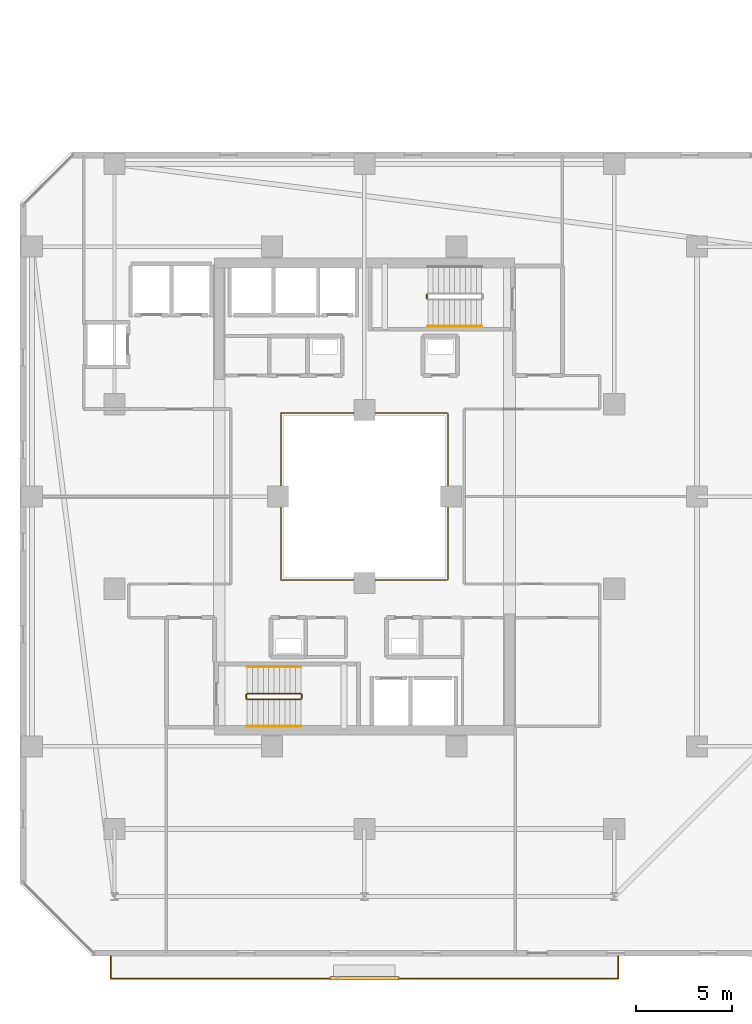
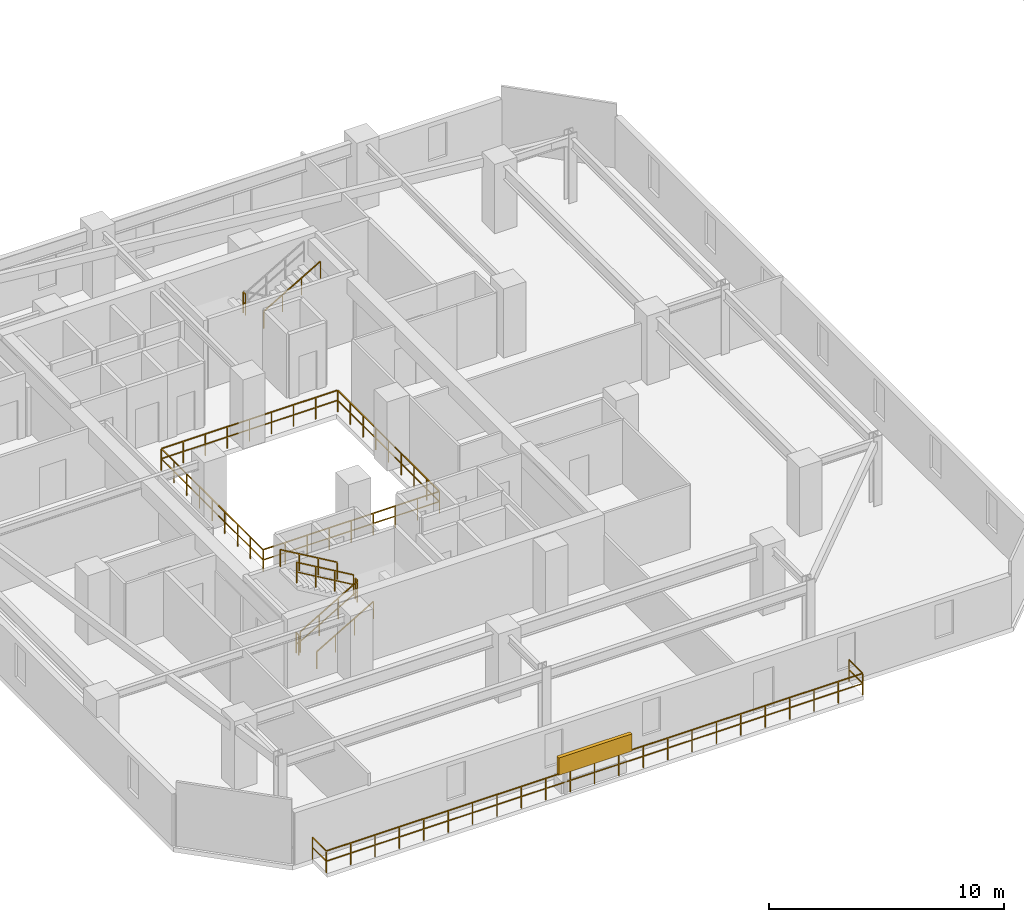
# One storey, part 29 of 32: 10 railings, 1 shading device.
"""IFC4 building model written with IfcOpenShell, lengths in metres."""

from ifc_helpers import new_model, si_unit, direction, frame, origin, origin_2d, place, context, subcontext, project, spatial, rectangle, extrude, material, type_object, element, save


model = new_model("IFC4")

# Units and contexts
model_context = context("Model", 3, precision=1e-05, world=origin(), true_north=direction((0.0, 1.0)))
body_context = subcontext(model_context, "Body", "Model", "MODEL_VIEW")
ifc_project = project(units=[si_unit("LENGTHUNIT", "METRE"), si_unit("AREAUNIT", "SQUARE_METRE"), si_unit("VOLUMEUNIT", "CUBIC_METRE"), si_unit("PLANEANGLEUNIT", "RADIAN"), si_unit("MASSUNIT", "GRAM", prefix="KILO")], contexts=[model_context])

# Site, building, storey
site_placement = place(None, origin())
site = spatial("IfcSite", under=ifc_project, at=site_placement, CompositionType="ELEMENT")
building_placement = place(site_placement, origin())
building = spatial("IfcBuilding", under=site, at=building_placement, Name="Thornwick Lancets Civic Towers", CompositionType="ELEMENT")
storey_placement = place(building_placement, frame((0.0, 0.0, 156.300048828125)))
storey = spatial("IfcBuildingStorey", under=building, at=storey_placement, Name="L41", CompositionType="ELEMENT", Elevation=156.300048828125)

# Railings
ifc_material_1 = material(Name="Laminated glass and bronze steel S355", Category="steel")
railing_type_1 = type_object("IfcRailingType", Name="RAIL_ATRIUM_GUARD", PredefinedType="BALUSTRADE", material=ifc_material_1)
railing_1_placement = place(storey_placement, frame((21.159912109375, 22.659912109375, 0.0)))
element("IfcRailing", 1, at=railing_1_placement, inside=storey, type_object=railing_type_1, Name="L41 Tower A Central Atrium Guard Balustrade", PredefinedType="BALUSTRADE", context=body_context, shape_type="SweptSolid", body=[
    extrude(rectangle(XDim=0.048095703125, YDim=0.048095703125, at=origin_2d()), frame((0.0, 0.0, 1.1259765625), z_axis=(1.0, 0.0, 0.0), x_axis=(0.0, 1.0, 0.0)), (0.0, 0.0, 1.0), 8.64892578125),
    extrude(rectangle(XDim=0.0419921875, YDim=0.0419921875, at=origin_2d()), frame((0.03759765625, 0.0, 0.597900390625), z_axis=(1.0, 0.0, 0.0), x_axis=(0.0, 1.0, 0.0)), (0.0, 0.0, 1.0), 1.010009765625),
    extrude(rectangle(XDim=0.0419921875, YDim=0.0419921875, at=origin_2d()), frame((1.12255859375, 0.0, 0.597900390625), z_axis=(1.0, 0.0, 0.0), x_axis=(0.0, 1.0, 0.0)), (0.0, 0.0, 1.0), 1.010009765625),
    extrude(rectangle(XDim=0.0419921875, YDim=0.0419921875, at=origin_2d()), frame((2.20751953125, 0.0, 0.597900390625), z_axis=(1.0, 0.0, 0.0), x_axis=(0.0, 1.0, 0.0)), (0.0, 0.0, 1.0), 1.010009765625),
    extrude(rectangle(XDim=0.0419921875, YDim=0.0419921875, at=origin_2d()), frame((3.29248046875, 0.0, 0.597900390625), z_axis=(1.0, 0.0, 0.0), x_axis=(0.0, 1.0, 0.0)), (0.0, 0.0, 1.0), 1.010009765625),
    extrude(rectangle(XDim=0.0419921875, YDim=0.0419921875, at=origin_2d()), frame((4.377685546875, 0.0, 0.597900390625), z_axis=(1.0, 0.0, 0.0), x_axis=(0.0, 1.0, 0.0)), (0.0, 0.0, 1.0), 1.010009765625),
    extrude(rectangle(XDim=0.0419921875, YDim=0.0419921875, at=origin_2d()), frame((5.462646484375, 0.0, 0.597900390625), z_axis=(1.0, 0.0, 0.0), x_axis=(0.0, 1.0, 0.0)), (0.0, 0.0, 1.0), 1.010009765625),
    extrude(rectangle(XDim=0.0419921875, YDim=0.0419921875, at=origin_2d()), frame((6.547607421875, 0.0, 0.597900390625), z_axis=(1.0, 0.0, 0.0), x_axis=(0.0, 1.0, 0.0)), (0.0, 0.0, 1.0), 1.010009765625),
    extrude(rectangle(XDim=0.0419921875, YDim=0.0419921875, at=origin_2d()), frame((7.632568359375, 0.0, 0.597900390625), z_axis=(1.0, 0.0, 0.0), x_axis=(0.0, 1.0, 0.0)), (0.0, 0.0, 1.0), 1.010009765625),
    extrude(rectangle(XDim=0.048095703125, YDim=0.048095703125, at=origin_2d()), frame((8.68017578125, 0.03125, 1.1259765625), z_axis=(0.0, 1.0, 0.0), x_axis=(-1.0, 0.0, 0.0)), (0.0, 0.0, 1.0), 8.61767578125),
    extrude(rectangle(XDim=0.0419921875, YDim=0.0419921875, at=origin_2d()), frame((8.68017578125, 0.03759765625, 0.597900390625), z_axis=(0.0, 1.0, 0.0), x_axis=(-1.0, 0.0, 0.0)), (0.0, 0.0, 1.0), 1.010009765625),
    extrude(rectangle(XDim=0.0419921875, YDim=0.0419921875, at=origin_2d()), frame((8.68017578125, 1.12255859375, 0.597900390625), z_axis=(0.0, 1.0, 0.0), x_axis=(-1.0, 0.0, 0.0)), (0.0, 0.0, 1.0), 1.010009765625),
    extrude(rectangle(XDim=0.0419921875, YDim=0.0419921875, at=origin_2d()), frame((8.68017578125, 2.20751953125, 0.597900390625), z_axis=(0.0, 1.0, 0.0), x_axis=(-1.0, 0.0, 0.0)), (0.0, 0.0, 1.0), 1.010009765625),
    extrude(rectangle(XDim=0.0419921875, YDim=0.0419921875, at=origin_2d()), frame((8.68017578125, 3.29248046875, 0.597900390625), z_axis=(0.0, 1.0, 0.0), x_axis=(-1.0, 0.0, 0.0)), (0.0, 0.0, 1.0), 1.010009765625),
    extrude(rectangle(XDim=0.0419921875, YDim=0.0419921875, at=origin_2d()), frame((8.68017578125, 4.377685546875, 0.597900390625), z_axis=(0.0, 1.0, 0.0), x_axis=(-1.0, 0.0, 0.0)), (0.0, 0.0, 1.0), 1.010009765625),
    extrude(rectangle(XDim=0.0419921875, YDim=0.0419921875, at=origin_2d()), frame((8.68017578125, 5.462646484375, 0.597900390625), z_axis=(0.0, 1.0, 0.0), x_axis=(-1.0, 0.0, 0.0)), (0.0, 0.0, 1.0), 1.010009765625),
    extrude(rectangle(XDim=0.0419921875, YDim=0.0419921875, at=origin_2d()), frame((8.68017578125, 6.547607421875, 0.597900390625), z_axis=(0.0, 1.0, 0.0), x_axis=(-1.0, 0.0, 0.0)), (0.0, 0.0, 1.0), 1.010009765625),
    extrude(rectangle(XDim=0.0419921875, YDim=0.0419921875, at=origin_2d()), frame((8.68017578125, 7.632568359375, 0.597900390625), z_axis=(0.0, 1.0, 0.0), x_axis=(-1.0, 0.0, 0.0)), (0.0, 0.0, 1.0), 1.010009765625),
    extrude(rectangle(XDim=0.048095703125, YDim=0.048095703125, at=origin_2d()), frame((8.64892578125, 8.68017578125, 1.1259765625), z_axis=(-1.0, 0.0, 0.0), x_axis=(0.0, -1.0, 0.0)), (0.0, 0.0, 1.0), 8.61767578125),
    extrude(rectangle(XDim=0.0419921875, YDim=0.0419921875, at=origin_2d()), frame((8.642578125, 8.68017578125, 0.597900390625), z_axis=(-1.0, 0.0, 0.0), x_axis=(0.0, -1.0, 0.0)), (0.0, 0.0, 1.0), 1.010009765625),
    extrude(rectangle(XDim=0.0419921875, YDim=0.0419921875, at=origin_2d()), frame((7.5576171875, 8.68017578125, 0.597900390625), z_axis=(-1.0, 0.0, 0.0), x_axis=(0.0, -1.0, 0.0)), (0.0, 0.0, 1.0), 1.010009765625),
    extrude(rectangle(XDim=0.0419921875, YDim=0.0419921875, at=origin_2d()), frame((6.47265625, 8.68017578125, 0.597900390625), z_axis=(-1.0, 0.0, 0.0), x_axis=(0.0, -1.0, 0.0)), (0.0, 0.0, 1.0), 1.010009765625),
    extrude(rectangle(XDim=0.0419921875, YDim=0.0419921875, at=origin_2d()), frame((5.3876953125, 8.68017578125, 0.597900390625), z_axis=(-1.0, 0.0, 0.0), x_axis=(0.0, -1.0, 0.0)), (0.0, 0.0, 1.0), 1.010009765625),
    extrude(rectangle(XDim=0.0419921875, YDim=0.0419921875, at=origin_2d()), frame((4.302490234375, 8.68017578125, 0.597900390625), z_axis=(-1.0, 0.0, 0.0), x_axis=(0.0, -1.0, 0.0)), (0.0, 0.0, 1.0), 1.010009765625),
    extrude(rectangle(XDim=0.0419921875, YDim=0.0419921875, at=origin_2d()), frame((3.217529296875, 8.68017578125, 0.597900390625), z_axis=(-1.0, 0.0, 0.0), x_axis=(0.0, -1.0, 0.0)), (0.0, 0.0, 1.0), 1.010009765625),
    extrude(rectangle(XDim=0.0419921875, YDim=0.0419921875, at=origin_2d()), frame((2.132568359375, 8.68017578125, 0.597900390625), z_axis=(-1.0, 0.0, 0.0), x_axis=(0.0, -1.0, 0.0)), (0.0, 0.0, 1.0), 1.010009765625),
    extrude(rectangle(XDim=0.0419921875, YDim=0.0419921875, at=origin_2d()), frame((1.047607421875, 8.68017578125, 0.597900390625), z_axis=(-1.0, 0.0, 0.0), x_axis=(0.0, -1.0, 0.0)), (0.0, 0.0, 1.0), 1.010009765625),
    extrude(rectangle(XDim=0.048095703125, YDim=0.048095703125, at=origin_2d()), frame((0.0, 8.64892578125, 1.1259765625), z_axis=(0.0, -1.0, 0.0), x_axis=(1.0, 0.0, 0.0)), (0.0, 0.0, 1.0), 8.64892578125),
    extrude(rectangle(XDim=0.0419921875, YDim=0.0419921875, at=origin_2d()), frame((0.0, 8.642578125, 0.597900390625), z_axis=(0.0, -1.0, 0.0), x_axis=(1.0, 0.0, 0.0)), (0.0, 0.0, 1.0), 1.010009765625),
    extrude(rectangle(XDim=0.0419921875, YDim=0.0419921875, at=origin_2d()), frame((0.0, 7.5576171875, 0.597900390625), z_axis=(0.0, -1.0, 0.0), x_axis=(1.0, 0.0, 0.0)), (0.0, 0.0, 1.0), 1.010009765625),
    extrude(rectangle(XDim=0.0419921875, YDim=0.0419921875, at=origin_2d()), frame((0.0, 6.47265625, 0.597900390625), z_axis=(0.0, -1.0, 0.0), x_axis=(1.0, 0.0, 0.0)), (0.0, 0.0, 1.0), 1.010009765625),
    extrude(rectangle(XDim=0.0419921875, YDim=0.0419921875, at=origin_2d()), frame((0.0, 5.3876953125, 0.597900390625), z_axis=(0.0, -1.0, 0.0), x_axis=(1.0, 0.0, 0.0)), (0.0, 0.0, 1.0), 1.010009765625),
    extrude(rectangle(XDim=0.0419921875, YDim=0.0419921875, at=origin_2d()), frame((0.0, 4.302490234375, 0.597900390625), z_axis=(0.0, -1.0, 0.0), x_axis=(1.0, 0.0, 0.0)), (0.0, 0.0, 1.0), 1.010009765625),
    extrude(rectangle(XDim=0.0419921875, YDim=0.0419921875, at=origin_2d()), frame((0.0, 3.217529296875, 0.597900390625), z_axis=(0.0, -1.0, 0.0), x_axis=(1.0, 0.0, 0.0)), (0.0, 0.0, 1.0), 1.010009765625),
    extrude(rectangle(XDim=0.0419921875, YDim=0.0419921875, at=origin_2d()), frame((0.0, 2.132568359375, 0.597900390625), z_axis=(0.0, -1.0, 0.0), x_axis=(1.0, 0.0, 0.0)), (0.0, 0.0, 1.0), 1.010009765625),
    extrude(rectangle(XDim=0.0419921875, YDim=0.0419921875, at=origin_2d()), frame((0.0, 1.047607421875, 0.597900390625), z_axis=(0.0, -1.0, 0.0), x_axis=(1.0, 0.0, 0.0)), (0.0, 0.0, 1.0), 1.010009765625),
    extrude(rectangle(XDim=0.0419921875, YDim=0.0419921875, at=origin_2d()), origin(), (0.0, 0.0, 1.0), 1.095703125),
    extrude(rectangle(XDim=0.0419921875, YDim=0.0419921875, at=origin_2d()), frame((1.0849609375, 0.0, 0.0)), (0.0, 0.0, 1.0), 1.095703125),
    extrude(rectangle(XDim=0.0419921875, YDim=0.0419921875, at=origin_2d()), frame((2.169921875, 0.0, 0.0)), (0.0, 0.0, 1.0), 1.095703125),
    extrude(rectangle(XDim=0.0419921875, YDim=0.0419921875, at=origin_2d()), frame((3.255126953125, 0.0, 0.0)), (0.0, 0.0, 1.0), 1.095703125),
    extrude(rectangle(XDim=0.0419921875, YDim=0.0419921875, at=origin_2d()), frame((4.340087890625, 0.0, 0.0)), (0.0, 0.0, 1.0), 1.095703125),
    extrude(rectangle(XDim=0.0419921875, YDim=0.0419921875, at=origin_2d()), frame((5.425048828125, 0.0, 0.0)), (0.0, 0.0, 1.0), 1.095703125),
    extrude(rectangle(XDim=0.0419921875, YDim=0.0419921875, at=origin_2d()), frame((6.51025390625, 0.0, 0.0)), (0.0, 0.0, 1.0), 1.095703125),
    extrude(rectangle(XDim=0.0419921875, YDim=0.0419921875, at=origin_2d()), frame((7.59521484375, 0.0, 0.0)), (0.0, 0.0, 1.0), 1.095703125),
    extrude(rectangle(XDim=0.0419921875, YDim=0.0419921875, at=origin_2d()), frame((8.68017578125, 0.0, 0.0)), (0.0, 0.0, 1.0), 1.095703125),
    extrude(rectangle(XDim=0.0419921875, YDim=0.0419921875, at=origin_2d()), frame((8.68017578125, 1.0849609375, 0.0)), (0.0, 0.0, 1.0), 1.095703125),
    extrude(rectangle(XDim=0.0419921875, YDim=0.0419921875, at=origin_2d()), frame((8.68017578125, 2.169921875, 0.0)), (0.0, 0.0, 1.0), 1.095703125),
    extrude(rectangle(XDim=0.0419921875, YDim=0.0419921875, at=origin_2d()), frame((8.68017578125, 3.255126953125, 0.0)), (0.0, 0.0, 1.0), 1.095703125),
    extrude(rectangle(XDim=0.0419921875, YDim=0.0419921875, at=origin_2d()), frame((8.68017578125, 4.340087890625, 0.0)), (0.0, 0.0, 1.0), 1.095703125),
    extrude(rectangle(XDim=0.0419921875, YDim=0.0419921875, at=origin_2d()), frame((8.68017578125, 5.425048828125, 0.0)), (0.0, 0.0, 1.0), 1.095703125),
    extrude(rectangle(XDim=0.0419921875, YDim=0.0419921875, at=origin_2d()), frame((8.68017578125, 6.51025390625, 0.0)), (0.0, 0.0, 1.0), 1.095703125),
    extrude(rectangle(XDim=0.0419921875, YDim=0.0419921875, at=origin_2d()), frame((8.68017578125, 7.59521484375, 0.0)), (0.0, 0.0, 1.0), 1.095703125),
    extrude(rectangle(XDim=0.0419921875, YDim=0.0419921875, at=origin_2d()), frame((8.68017578125, 8.68017578125, 0.0)), (0.0, 0.0, 1.0), 1.095703125),
    extrude(rectangle(XDim=0.0419921875, YDim=0.0419921875, at=origin_2d()), frame((7.59521484375, 8.68017578125, 0.0)), (0.0, 0.0, 1.0), 1.095703125),
    extrude(rectangle(XDim=0.0419921875, YDim=0.0419921875, at=origin_2d()), frame((6.51025390625, 8.68017578125, 0.0)), (0.0, 0.0, 1.0), 1.095703125),
    extrude(rectangle(XDim=0.0419921875, YDim=0.0419921875, at=origin_2d()), frame((5.425048828125, 8.68017578125, 0.0)), (0.0, 0.0, 1.0), 1.095703125),
    extrude(rectangle(XDim=0.0419921875, YDim=0.0419921875, at=origin_2d()), frame((4.340087890625, 8.68017578125, 0.0)), (0.0, 0.0, 1.0), 1.095703125),
    extrude(rectangle(XDim=0.0419921875, YDim=0.0419921875, at=origin_2d()), frame((3.255126953125, 8.68017578125, 0.0)), (0.0, 0.0, 1.0), 1.095703125),
    extrude(rectangle(XDim=0.0419921875, YDim=0.0419921875, at=origin_2d()), frame((2.169921875, 8.68017578125, 0.0)), (0.0, 0.0, 1.0), 1.095703125),
    extrude(rectangle(XDim=0.0419921875, YDim=0.0419921875, at=origin_2d()), frame((1.0849609375, 8.68017578125, 0.0)), (0.0, 0.0, 1.0), 1.095703125),
    extrude(rectangle(XDim=0.0419921875, YDim=0.0419921875, at=origin_2d()), frame((0.0, 8.68017578125, 0.0)), (0.0, 0.0, 1.0), 1.095703125),
    extrude(rectangle(XDim=0.0419921875, YDim=0.0419921875, at=origin_2d()), frame((0.0, 7.59521484375, 0.0)), (0.0, 0.0, 1.0), 1.095703125),
    extrude(rectangle(XDim=0.0419921875, YDim=0.0419921875, at=origin_2d()), frame((0.0, 6.51025390625, 0.0)), (0.0, 0.0, 1.0), 1.095703125),
    extrude(rectangle(XDim=0.0419921875, YDim=0.0419921875, at=origin_2d()), frame((0.0, 5.425048828125, 0.0)), (0.0, 0.0, 1.0), 1.095703125),
    extrude(rectangle(XDim=0.0419921875, YDim=0.0419921875, at=origin_2d()), frame((0.0, 4.340087890625, 0.0)), (0.0, 0.0, 1.0), 1.095703125),
    extrude(rectangle(XDim=0.0419921875, YDim=0.0419921875, at=origin_2d()), frame((0.0, 3.255126953125, 0.0)), (0.0, 0.0, 1.0), 1.095703125),
    extrude(rectangle(XDim=0.0419921875, YDim=0.0419921875, at=origin_2d()), frame((0.0, 2.169921875, 0.0)), (0.0, 0.0, 1.0), 1.095703125),
    extrude(rectangle(XDim=0.0419921875, YDim=0.0419921875, at=origin_2d()), frame((0.0, 1.0849609375, 0.0)), (0.0, 0.0, 1.0), 1.095703125),
])
ifc_material_2 = material(Name="Brushed stainless steel S355", Category="steel")
railing_type_2 = type_object("IfcRailingType", Name="RAIL_HANDRAIL", PredefinedType="HANDRAIL", material=ifc_material_2)
railing_2_placement = place(storey_placement, frame((19.39990234375, 15.050048828125, 0.16357421875)))
element("IfcRailing", 2, at=railing_2_placement, inside=storey, type_object=railing_type_2, Name="L41 ST-A1 stair handrail 1", PredefinedType="HANDRAIL", context=body_context, shape_type="SweptSolid", body=[
    extrude(rectangle(XDim=0.048095703125, YDim=0.048095703125, at=origin_2d()), frame((0.0, 0.0, 0.8857421875), z_axis=(0.863360870873, 0.0, 0.504586966384), x_axis=(0.0, 1.0, 0.0)), (0.0, 0.0, 1.0), 3.2431640625),
    extrude(rectangle(XDim=0.0419921875, YDim=0.0419921875, at=origin_2d()), origin(), (0.0, 0.0, 1.0), 0.855712890625),
    extrude(rectangle(XDim=0.0419921875, YDim=0.0419921875, at=origin_2d()), frame((0.933349609375, 0.0, 0.54541015625)), (0.0, 0.0, 1.0), 0.855712890625),
    extrude(rectangle(XDim=0.0419921875, YDim=0.0419921875, at=origin_2d()), frame((1.86669921875, 0.0, 1.091064453125)), (0.0, 0.0, 1.0), 0.855712890625),
    extrude(rectangle(XDim=0.0419921875, YDim=0.0419921875, at=origin_2d()), frame((2.800048828125, 0.0, 1.636474609375)), (0.0, 0.0, 1.0), 0.855712890625),
])
railing_3_placement = place(storey_placement, frame((22.199951171875, 18.14990234375, 1.963623046875)))
element("IfcRailing", 3, at=railing_3_placement, inside=storey, type_object=railing_type_2, Name="L41 ST-A1 stair handrail 2", PredefinedType="HANDRAIL", context=body_context, shape_type="SweptSolid", body=[
    extrude(rectangle(XDim=0.048095703125, YDim=0.048095703125, at=origin_2d()), frame((0.0, 0.0, 0.8857421875), z_axis=(-0.863393664356, 0.0, 0.504530851732), x_axis=(0.0, -1.0, 0.0)), (0.0, 0.0, 1.0), 3.2431640625),
    extrude(rectangle(XDim=0.0419921875, YDim=0.0419921875, at=origin_2d()), origin(), (0.0, 0.0, 1.0), 0.855712890625),
    extrude(rectangle(XDim=0.0419921875, YDim=0.0419921875, at=origin_2d()), frame((-0.933349609375, 0.0, 0.54541015625)), (0.0, 0.0, 1.0), 0.855712890625),
    extrude(rectangle(XDim=0.0419921875, YDim=0.0419921875, at=origin_2d()), frame((-1.86669921875, 0.0, 1.0908203125)), (0.0, 0.0, 1.0), 0.855712890625),
    extrude(rectangle(XDim=0.0419921875, YDim=0.0419921875, at=origin_2d()), frame((-2.800048828125, 0.0, 1.63623046875)), (0.0, 0.0, 1.0), 0.855712890625),
])
railing_4_placement = place(storey_placement, frame((28.800048828125, 35.85009765625, 1.963623046875)))
element("IfcRailing", 4, at=railing_4_placement, inside=storey, type_object=railing_type_2, Name="L41 ST-A2 stair handrail 2", PredefinedType="HANDRAIL", context=body_context, shape_type="SweptSolid", body=[
    extrude(rectangle(XDim=0.048095703125, YDim=0.048095703125, at=origin_2d()), frame((0.0, 0.0, 0.8857421875), z_axis=(0.863393664356, 0.0, 0.504530851732), x_axis=(0.0, 1.0, 0.0)), (0.0, 0.0, 1.0), 3.2431640625),
    extrude(rectangle(XDim=0.0419921875, YDim=0.0419921875, at=origin_2d()), origin(), (0.0, 0.0, 1.0), 0.855712890625),
    extrude(rectangle(XDim=0.0419921875, YDim=0.0419921875, at=origin_2d()), frame((0.933349609375, 0.0, 0.54541015625)), (0.0, 0.0, 1.0), 0.855712890625),
    extrude(rectangle(XDim=0.0419921875, YDim=0.0419921875, at=origin_2d()), frame((1.86669921875, 0.0, 1.0908203125)), (0.0, 0.0, 1.0), 0.855712890625),
    extrude(rectangle(XDim=0.0419921875, YDim=0.0419921875, at=origin_2d()), frame((2.800048828125, 0.0, 1.63623046875)), (0.0, 0.0, 1.0), 0.855712890625),
])
ifc_material_3 = material(Name="Steel S355JR", Category="steel")
railing_type_3 = type_object("IfcRailingType", Name="RAIL_STAIR_GUARD", PredefinedType="GUARDRAIL", material=ifc_material_3)
railing_5_placement = place(storey_placement, frame((19.39990234375, 16.449951171875, 0.16357421875)))
element("IfcRailing", 5, at=railing_5_placement, inside=storey, type_object=railing_type_3, Name="L41 ST-A1 stair guard 1", PredefinedType="GUARDRAIL", context=body_context, shape_type="SweptSolid", body=[
    extrude(rectangle(XDim=0.048095703125, YDim=0.048095703125, at=origin_2d()), frame((0.0, 0.0, 1.076171875), z_axis=(0.863360870873, 0.0, 0.504586966384), x_axis=(0.0, 1.0, 0.0)), (0.0, 0.0, 1.0), 3.2431640625),
    extrude(rectangle(XDim=0.0419921875, YDim=0.0419921875, at=origin_2d()), frame((0.032470703125, 0.0, 0.591064453125), z_axis=(0.863360870873, 0.0, 0.504586966384), x_axis=(0.0, 1.0, 0.0)), (0.0, 0.0, 1.0), 1.006103515625),
    extrude(rectangle(XDim=0.0419921875, YDim=0.0419921875, at=origin_2d()), frame((0.9658203125, 0.0, 1.136474609375), z_axis=(0.863360870873, 0.0, 0.504586966384), x_axis=(0.0, 1.0, 0.0)), (0.0, 0.0, 1.0), 1.006103515625),
    extrude(rectangle(XDim=0.0419921875, YDim=0.0419921875, at=origin_2d()), frame((1.899169921875, 0.0, 1.681884765625), z_axis=(0.863360870873, 0.0, 0.504586966384), x_axis=(0.0, 1.0, 0.0)), (0.0, 0.0, 1.0), 1.006103515625),
    extrude(rectangle(XDim=0.0419921875, YDim=0.0419921875, at=origin_2d()), origin(), (0.0, 0.0, 1.0), 1.0458984375),
    extrude(rectangle(XDim=0.0419921875, YDim=0.0419921875, at=origin_2d()), frame((0.933349609375, 0.0, 0.54541015625)), (0.0, 0.0, 1.0), 1.0458984375),
    extrude(rectangle(XDim=0.0419921875, YDim=0.0419921875, at=origin_2d()), frame((1.86669921875, 0.0, 1.091064453125)), (0.0, 0.0, 1.0), 1.0458984375),
    extrude(rectangle(XDim=0.0419921875, YDim=0.0419921875, at=origin_2d()), frame((2.800048828125, 0.0, 1.636474609375)), (0.0, 0.0, 1.0), 1.0458984375),
])
railing_6_placement = place(storey_placement, frame((22.25, 16.5, 1.800048828125)))
element("IfcRailing", 6, at=railing_6_placement, inside=storey, type_object=railing_type_3, Name="L41 ST-A1 stair guard 2", PredefinedType="GUARDRAIL", context=body_context, shape_type="SweptSolid", body=[
    extrude(rectangle(XDim=0.048095703125, YDim=0.048095703125, at=origin_2d()), frame((0.0, 0.0, 1.076171875), z_axis=(0.0, 1.0, 0.0), x_axis=(-1.0, 0.0, 0.0)), (0.0, 0.0, 1.0), 0.199951171875),
    extrude(rectangle(XDim=0.0419921875, YDim=0.0419921875, at=origin_2d()), frame((0.0, 0.03759765625, 0.572021484375), z_axis=(0.0, 1.0, 0.0), x_axis=(-1.0, 0.0, 0.0)), (0.0, 0.0, 1.0), 0.125),
    extrude(rectangle(XDim=0.0419921875, YDim=0.0419921875, at=origin_2d()), origin(), (0.0, 0.0, 1.0), 1.0458984375),
    extrude(rectangle(XDim=0.0419921875, YDim=0.0419921875, at=origin_2d()), frame((0.0, 0.199951171875, 0.0)), (0.0, 0.0, 1.0), 1.0458984375),
])
railing_7_placement = place(storey_placement, frame((22.199951171875, 16.75, 1.963623046875)))
element("IfcRailing", 7, at=railing_7_placement, inside=storey, type_object=railing_type_3, Name="L41 ST-A1 stair guard 3", PredefinedType="GUARDRAIL", context=body_context, shape_type="SweptSolid", body=[
    extrude(rectangle(XDim=0.048095703125, YDim=0.048095703125, at=origin_2d()), frame((0.0, 0.0, 1.076171875), z_axis=(-0.863393664356, 0.0, 0.504530851732), x_axis=(0.0, -1.0, 0.0)), (0.0, 0.0, 1.0), 3.2431640625),
    extrude(rectangle(XDim=0.0419921875, YDim=0.0419921875, at=origin_2d()), frame((-0.032470703125, 0.0, 0.591064453125), z_axis=(-0.863393664356, 0.0, 0.504530851732), x_axis=(0.0, -1.0, 0.0)), (0.0, 0.0, 1.0), 1.006103515625),
    extrude(rectangle(XDim=0.0419921875, YDim=0.0419921875, at=origin_2d()), frame((-0.9658203125, 0.0, 1.136474609375), z_axis=(-0.863393664356, 0.0, 0.504530851732), x_axis=(0.0, -1.0, 0.0)), (0.0, 0.0, 1.0), 1.006103515625),
    extrude(rectangle(XDim=0.0419921875, YDim=0.0419921875, at=origin_2d()), frame((-1.899169921875, 0.0, 1.681884765625), z_axis=(-0.863393664356, 0.0, 0.504530851732), x_axis=(0.0, -1.0, 0.0)), (0.0, 0.0, 1.0), 1.006103515625),
    extrude(rectangle(XDim=0.0419921875, YDim=0.0419921875, at=origin_2d()), origin(), (0.0, 0.0, 1.0), 1.0458984375),
    extrude(rectangle(XDim=0.0419921875, YDim=0.0419921875, at=origin_2d()), frame((-0.933349609375, 0.0, 0.54541015625)), (0.0, 0.0, 1.0), 1.0458984375),
    extrude(rectangle(XDim=0.0419921875, YDim=0.0419921875, at=origin_2d()), frame((-1.86669921875, 0.0, 1.0908203125)), (0.0, 0.0, 1.0), 1.0458984375),
    extrude(rectangle(XDim=0.0419921875, YDim=0.0419921875, at=origin_2d()), frame((-2.800048828125, 0.0, 1.63623046875)), (0.0, 0.0, 1.0), 1.0458984375),
])
railing_8_placement = place(storey_placement, frame((19.35009765625, 16.5, 0.0)))
element("IfcRailing", 8, at=railing_8_placement, inside=storey, type_object=railing_type_3, Name="L41 ST-A1 stair guard 4", PredefinedType="GUARDRAIL", context=body_context, shape_type="SweptSolid", body=[
    extrude(rectangle(XDim=0.048095703125, YDim=0.048095703125, at=origin_2d()), frame((0.0, 0.0, 1.076171875), z_axis=(0.0, 1.0, 0.0), x_axis=(-1.0, 0.0, 0.0)), (0.0, 0.0, 1.0), 0.199951171875),
    extrude(rectangle(XDim=0.0419921875, YDim=0.0419921875, at=origin_2d()), frame((0.0, 0.03759765625, 0.572021484375), z_axis=(0.0, 1.0, 0.0), x_axis=(-1.0, 0.0, 0.0)), (0.0, 0.0, 1.0), 0.125),
    extrude(rectangle(XDim=0.0419921875, YDim=0.0419921875, at=origin_2d()), origin(), (0.0, 0.0, 1.0), 1.0458984375),
    extrude(rectangle(XDim=0.0419921875, YDim=0.0419921875, at=origin_2d()), frame((0.0, 0.199951171875, 0.0)), (0.0, 0.0, 1.0), 1.0458984375),
])
railing_9_placement = place(storey_placement, frame((28.75, 37.5, 1.800048828125)))
element("IfcRailing", 9, at=railing_9_placement, inside=storey, type_object=railing_type_3, Name="L41 ST-A2 stair guard 2", PredefinedType="GUARDRAIL", context=body_context, shape_type="SweptSolid", body=[
    extrude(rectangle(XDim=0.048095703125, YDim=0.048095703125, at=origin_2d()), frame((0.0, 0.0, 1.076171875), z_axis=(0.0, -1.0, 0.0), x_axis=(1.0, 0.0, 0.0)), (0.0, 0.0, 1.0), 0.199951171875),
    extrude(rectangle(XDim=0.0419921875, YDim=0.0419921875, at=origin_2d()), frame((0.0, -0.03759765625, 0.572021484375), z_axis=(0.0, -1.0, 0.0), x_axis=(1.0, 0.0, 0.0)), (0.0, 0.0, 1.0), 0.125),
    extrude(rectangle(XDim=0.0419921875, YDim=0.0419921875, at=origin_2d()), origin(), (0.0, 0.0, 1.0), 1.0458984375),
    extrude(rectangle(XDim=0.0419921875, YDim=0.0419921875, at=origin_2d()), frame((0.0, -0.199951171875, 0.0)), (0.0, 0.0, 1.0), 1.0458984375),
])
ifc_material_4 = material(Name="Terracotta-capped laminated glass balustrade S355", Category="masonry")
railing_type_4 = type_object("IfcRailingType", Name="RAIL_TERR_GUARD", PredefinedType="GUARDRAIL", material=ifc_material_4)
railing_10_placement = place(storey_placement, frame((12.300048828125, 3.10009765625, 0.0)))
element("IfcRailing", 10, at=railing_10_placement, inside=storey, type_object=railing_type_4, Name="L41 Tower A Balcony Guard S", PredefinedType="GUARDRAIL", context=body_context, shape_type="SweptSolid", body=[
    extrude(rectangle(XDim=0.048095703125, YDim=0.048095703125, at=origin_2d()), frame((0.0, 0.0, 1.1259765625), z_axis=(0.0, -1.0, 0.0), x_axis=(1.0, 0.0, 0.0)), (0.0, 0.0, 1.0), 1.138916015625),
    extrude(rectangle(XDim=0.0419921875, YDim=0.0419921875, at=origin_2d()), frame((0.0, -0.03759765625, 0.597900390625), z_axis=(0.0, -1.0, 0.0), x_axis=(1.0, 0.0, 0.0)), (0.0, 0.0, 1.0), 1.09521484375),
    extrude(rectangle(XDim=0.048095703125, YDim=0.048095703125, at=origin_2d()), frame((0.03125, -1.170166015625, 1.1259765625), z_axis=(1.0, 0.0, 0.0), x_axis=(0.0, 1.0, 0.0)), (0.0, 0.0, 1.0), 26.33740234375),
    extrude(rectangle(XDim=0.0419921875, YDim=0.0419921875, at=origin_2d()), frame((0.03759765625, -1.170166015625, 0.597900390625), z_axis=(1.0, 0.0, 0.0), x_axis=(0.0, 1.0, 0.0)), (0.0, 0.0, 1.0), 1.125),
    extrude(rectangle(XDim=0.0419921875, YDim=0.0419921875, at=origin_2d()), frame((1.237548828125, -1.170166015625, 0.597900390625), z_axis=(1.0, 0.0, 0.0), x_axis=(0.0, 1.0, 0.0)), (0.0, 0.0, 1.0), 1.125),
    extrude(rectangle(XDim=0.0419921875, YDim=0.0419921875, at=origin_2d()), frame((2.4375, -1.170166015625, 0.597900390625), z_axis=(1.0, 0.0, 0.0), x_axis=(0.0, 1.0, 0.0)), (0.0, 0.0, 1.0), 1.125),
    extrude(rectangle(XDim=0.0419921875, YDim=0.0419921875, at=origin_2d()), frame((3.637451171875, -1.170166015625, 0.597900390625), z_axis=(1.0, 0.0, 0.0), x_axis=(0.0, 1.0, 0.0)), (0.0, 0.0, 1.0), 1.125),
    extrude(rectangle(XDim=0.0419921875, YDim=0.0419921875, at=origin_2d()), frame((4.83740234375, -1.170166015625, 0.597900390625), z_axis=(1.0, 0.0, 0.0), x_axis=(0.0, 1.0, 0.0)), (0.0, 0.0, 1.0), 1.125),
    extrude(rectangle(XDim=0.0419921875, YDim=0.0419921875, at=origin_2d()), frame((6.037353515625, -1.170166015625, 0.597900390625), z_axis=(1.0, 0.0, 0.0), x_axis=(0.0, 1.0, 0.0)), (0.0, 0.0, 1.0), 1.125),
    extrude(rectangle(XDim=0.0419921875, YDim=0.0419921875, at=origin_2d()), frame((7.237548828125, -1.170166015625, 0.597900390625), z_axis=(1.0, 0.0, 0.0), x_axis=(0.0, 1.0, 0.0)), (0.0, 0.0, 1.0), 1.125),
    extrude(rectangle(XDim=0.0419921875, YDim=0.0419921875, at=origin_2d()), frame((8.4375, -1.170166015625, 0.597900390625), z_axis=(1.0, 0.0, 0.0), x_axis=(0.0, 1.0, 0.0)), (0.0, 0.0, 1.0), 1.125),
    extrude(rectangle(XDim=0.0419921875, YDim=0.0419921875, at=origin_2d()), frame((9.637451171875, -1.170166015625, 0.597900390625), z_axis=(1.0, 0.0, 0.0), x_axis=(0.0, 1.0, 0.0)), (0.0, 0.0, 1.0), 1.125),
    extrude(rectangle(XDim=0.0419921875, YDim=0.0419921875, at=origin_2d()), frame((10.83740234375, -1.170166015625, 0.597900390625), z_axis=(1.0, 0.0, 0.0), x_axis=(0.0, 1.0, 0.0)), (0.0, 0.0, 1.0), 1.125),
    extrude(rectangle(XDim=0.0419921875, YDim=0.0419921875, at=origin_2d()), frame((12.037353515625, -1.170166015625, 0.597900390625), z_axis=(1.0, 0.0, 0.0), x_axis=(0.0, 1.0, 0.0)), (0.0, 0.0, 1.0), 1.125),
    extrude(rectangle(XDim=0.0419921875, YDim=0.0419921875, at=origin_2d()), frame((13.237548828125, -1.170166015625, 0.597900390625), z_axis=(1.0, 0.0, 0.0), x_axis=(0.0, 1.0, 0.0)), (0.0, 0.0, 1.0), 1.125),
    extrude(rectangle(XDim=0.0419921875, YDim=0.0419921875, at=origin_2d()), frame((14.4375, -1.170166015625, 0.597900390625), z_axis=(1.0, 0.0, 0.0), x_axis=(0.0, 1.0, 0.0)), (0.0, 0.0, 1.0), 1.125),
    extrude(rectangle(XDim=0.0419921875, YDim=0.0419921875, at=origin_2d()), frame((15.637451171875, -1.170166015625, 0.597900390625), z_axis=(1.0, 0.0, 0.0), x_axis=(0.0, 1.0, 0.0)), (0.0, 0.0, 1.0), 1.125),
    extrude(rectangle(XDim=0.0419921875, YDim=0.0419921875, at=origin_2d()), frame((16.83740234375, -1.170166015625, 0.597900390625), z_axis=(1.0, 0.0, 0.0), x_axis=(0.0, 1.0, 0.0)), (0.0, 0.0, 1.0), 1.125),
    extrude(rectangle(XDim=0.0419921875, YDim=0.0419921875, at=origin_2d()), frame((18.037353515625, -1.170166015625, 0.597900390625), z_axis=(1.0, 0.0, 0.0), x_axis=(0.0, 1.0, 0.0)), (0.0, 0.0, 1.0), 1.125),
    extrude(rectangle(XDim=0.0419921875, YDim=0.0419921875, at=origin_2d()), frame((19.2373046875, -1.170166015625, 0.597900390625), z_axis=(1.0, 0.0, 0.0), x_axis=(0.0, 1.0, 0.0)), (0.0, 0.0, 1.0), 1.125),
    extrude(rectangle(XDim=0.0419921875, YDim=0.0419921875, at=origin_2d()), frame((20.4375, -1.170166015625, 0.597900390625), z_axis=(1.0, 0.0, 0.0), x_axis=(0.0, 1.0, 0.0)), (0.0, 0.0, 1.0), 1.125),
    extrude(rectangle(XDim=0.0419921875, YDim=0.0419921875, at=origin_2d()), frame((21.637451171875, -1.170166015625, 0.597900390625), z_axis=(1.0, 0.0, 0.0), x_axis=(0.0, 1.0, 0.0)), (0.0, 0.0, 1.0), 1.125),
    extrude(rectangle(XDim=0.0419921875, YDim=0.0419921875, at=origin_2d()), frame((22.83740234375, -1.170166015625, 0.597900390625), z_axis=(1.0, 0.0, 0.0), x_axis=(0.0, 1.0, 0.0)), (0.0, 0.0, 1.0), 1.125),
    extrude(rectangle(XDim=0.0419921875, YDim=0.0419921875, at=origin_2d()), frame((24.037353515625, -1.170166015625, 0.597900390625), z_axis=(1.0, 0.0, 0.0), x_axis=(0.0, 1.0, 0.0)), (0.0, 0.0, 1.0), 1.125),
    extrude(rectangle(XDim=0.0419921875, YDim=0.0419921875, at=origin_2d()), frame((25.2373046875, -1.170166015625, 0.597900390625), z_axis=(1.0, 0.0, 0.0), x_axis=(0.0, 1.0, 0.0)), (0.0, 0.0, 1.0), 1.125),
    extrude(rectangle(XDim=0.048095703125, YDim=0.048095703125, at=origin_2d()), frame((26.39990234375, -1.138916015625, 1.1259765625), z_axis=(0.0, 1.0, 0.0), x_axis=(-1.0, 0.0, 0.0)), (0.0, 0.0, 1.0), 1.138916015625),
    extrude(rectangle(XDim=0.0419921875, YDim=0.0419921875, at=origin_2d()), frame((26.39990234375, -1.132568359375, 0.597900390625), z_axis=(0.0, 1.0, 0.0), x_axis=(-1.0, 0.0, 0.0)), (0.0, 0.0, 1.0), 1.09521484375),
    extrude(rectangle(XDim=0.0419921875, YDim=0.0419921875, at=origin_2d()), origin(), (0.0, 0.0, 1.0), 1.095703125),
    extrude(rectangle(XDim=0.0419921875, YDim=0.0419921875, at=origin_2d()), frame((0.0, -1.170166015625, 0.0)), (0.0, 0.0, 1.0), 1.095703125),
    extrude(rectangle(XDim=0.0419921875, YDim=0.0419921875, at=origin_2d()), frame((1.199951171875, -1.170166015625, 0.0)), (0.0, 0.0, 1.0), 1.095703125),
    extrude(rectangle(XDim=0.0419921875, YDim=0.0419921875, at=origin_2d()), frame((2.39990234375, -1.170166015625, 0.0)), (0.0, 0.0, 1.0), 1.095703125),
    extrude(rectangle(XDim=0.0419921875, YDim=0.0419921875, at=origin_2d()), frame((3.60009765625, -1.170166015625, 0.0)), (0.0, 0.0, 1.0), 1.095703125),
    extrude(rectangle(XDim=0.0419921875, YDim=0.0419921875, at=origin_2d()), frame((4.800048828125, -1.170166015625, 0.0)), (0.0, 0.0, 1.0), 1.095703125),
    extrude(rectangle(XDim=0.0419921875, YDim=0.0419921875, at=origin_2d()), frame((6.0, -1.170166015625, 0.0)), (0.0, 0.0, 1.0), 1.095703125),
    extrude(rectangle(XDim=0.0419921875, YDim=0.0419921875, at=origin_2d()), frame((7.199951171875, -1.170166015625, 0.0)), (0.0, 0.0, 1.0), 1.095703125),
    extrude(rectangle(XDim=0.0419921875, YDim=0.0419921875, at=origin_2d()), frame((8.39990234375, -1.170166015625, 0.0)), (0.0, 0.0, 1.0), 1.095703125),
    extrude(rectangle(XDim=0.0419921875, YDim=0.0419921875, at=origin_2d()), frame((9.599853515625, -1.170166015625, 0.0)), (0.0, 0.0, 1.0), 1.095703125),
    extrude(rectangle(XDim=0.0419921875, YDim=0.0419921875, at=origin_2d()), frame((10.800048828125, -1.170166015625, 0.0)), (0.0, 0.0, 1.0), 1.095703125),
    extrude(rectangle(XDim=0.0419921875, YDim=0.0419921875, at=origin_2d()), frame((12.0, -1.170166015625, 0.0)), (0.0, 0.0, 1.0), 1.095703125),
    extrude(rectangle(XDim=0.0419921875, YDim=0.0419921875, at=origin_2d()), frame((13.199951171875, -1.170166015625, 0.0)), (0.0, 0.0, 1.0), 1.095703125),
    extrude(rectangle(XDim=0.0419921875, YDim=0.0419921875, at=origin_2d()), frame((14.39990234375, -1.170166015625, 0.0)), (0.0, 0.0, 1.0), 1.095703125),
    extrude(rectangle(XDim=0.0419921875, YDim=0.0419921875, at=origin_2d()), frame((15.599853515625, -1.170166015625, 0.0)), (0.0, 0.0, 1.0), 1.095703125),
    extrude(rectangle(XDim=0.0419921875, YDim=0.0419921875, at=origin_2d()), frame((16.800048828125, -1.170166015625, 0.0)), (0.0, 0.0, 1.0), 1.095703125),
    extrude(rectangle(XDim=0.0419921875, YDim=0.0419921875, at=origin_2d()), frame((18.0, -1.170166015625, 0.0)), (0.0, 0.0, 1.0), 1.095703125),
    extrude(rectangle(XDim=0.0419921875, YDim=0.0419921875, at=origin_2d()), frame((19.199951171875, -1.170166015625, 0.0)), (0.0, 0.0, 1.0), 1.095703125),
    extrude(rectangle(XDim=0.0419921875, YDim=0.0419921875, at=origin_2d()), frame((20.39990234375, -1.170166015625, 0.0)), (0.0, 0.0, 1.0), 1.095703125),
    extrude(rectangle(XDim=0.0419921875, YDim=0.0419921875, at=origin_2d()), frame((21.599853515625, -1.170166015625, 0.0)), (0.0, 0.0, 1.0), 1.095703125),
    extrude(rectangle(XDim=0.0419921875, YDim=0.0419921875, at=origin_2d()), frame((22.7998046875, -1.170166015625, 0.0)), (0.0, 0.0, 1.0), 1.095703125),
    extrude(rectangle(XDim=0.0419921875, YDim=0.0419921875, at=origin_2d()), frame((24.0, -1.170166015625, 0.0)), (0.0, 0.0, 1.0), 1.095703125),
    extrude(rectangle(XDim=0.0419921875, YDim=0.0419921875, at=origin_2d()), frame((25.199951171875, -1.170166015625, 0.0)), (0.0, 0.0, 1.0), 1.095703125),
    extrude(rectangle(XDim=0.0419921875, YDim=0.0419921875, at=origin_2d()), frame((26.39990234375, -1.170166015625, 0.0)), (0.0, 0.0, 1.0), 1.095703125),
    extrude(rectangle(XDim=0.0419921875, YDim=0.0419921875, at=origin_2d()), frame((26.39990234375, 0.0, 0.0)), (0.0, 0.0, 1.0), 1.095703125),
])

# Shading device
ifc_material_5 = material(Name="Extruded terracotta baguette solar screen", Category="masonry")
shading_device_type = type_object("IfcShadingDeviceType", Name="SHADE_BAGUETTE", PredefinedType="JALOUSIE", material=ifc_material_5)
shading_device_placement = place(storey_placement, frame((25.5, 1.93994140625, 1.1201171875), z_axis=(0.0, 0.0, 1.0), x_axis=(1.0, 0.0, 0.0)))
element("IfcShadingDevice", 11, at=shading_device_placement, inside=storey, type_object=shading_device_type, Name="L41 Tower A Terracotta Baguette Screen S", PredefinedType="JALOUSIE", context=body_context, shape_type="SweptSolid", body=[
    extrude(rectangle(XDim=3.60009765625, YDim=0.179931640625, at=origin_2d()), origin(), (0.0, 0.0, 1.0), 0.89990234375),
])

save(model, "model.ifc")
